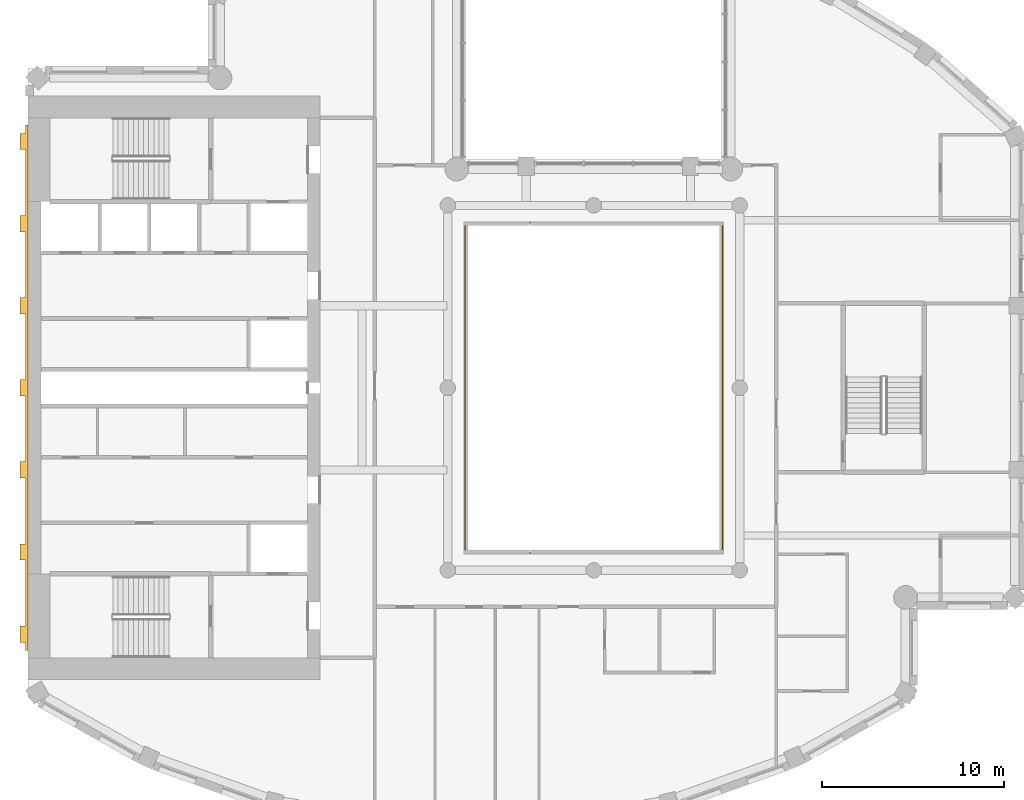
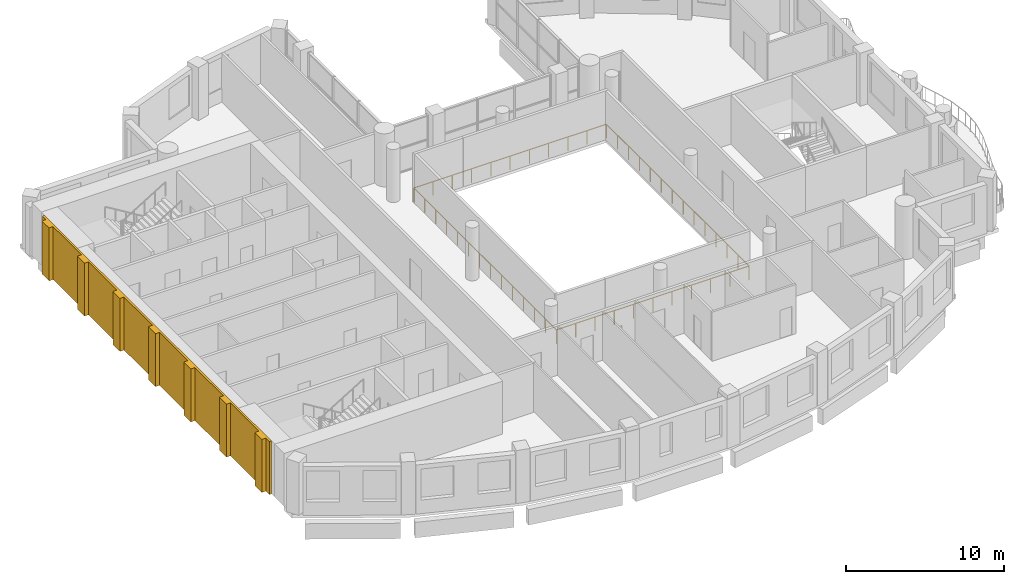
# One storey, part 11 of 14: 1 covering, 1 railing.
"""IFC4 building model written with IfcOpenShell, lengths in metres."""

from ifc_helpers import new_model, si_unit, direction, frame, origin, origin_2d, place, context, subcontext, project, spatial, polyline, rectangle, outline, extrude, material, layer, layer_set, type_object, element, save


model = new_model("IFC4")

# Units and contexts
model_context = context("Model", 3, precision=1e-05, world=origin(), true_north=direction((0.0, 1.0)))
body_context = subcontext(model_context, "Body", "Model", "MODEL_VIEW")
ifc_project = project(units=[si_unit("LENGTHUNIT", "METRE"), si_unit("AREAUNIT", "SQUARE_METRE"), si_unit("VOLUMEUNIT", "CUBIC_METRE"), si_unit("PLANEANGLEUNIT", "RADIAN"), si_unit("MASSUNIT", "GRAM", prefix="KILO")], contexts=[model_context])

# Site, building, storey
site_placement = place(None, origin())
site = spatial("IfcSite", under=ifc_project, at=site_placement, CompositionType="ELEMENT")
building_placement = place(site_placement, origin())
building = spatial("IfcBuilding", under=site, at=building_placement, Name="Cypress Arch Tower", CompositionType="ELEMENT")
storey_placement = place(building_placement, frame((0.0, 0.0, 284.39990234375)))
storey = spatial("IfcBuildingStorey", under=building, at=storey_placement, Name="L64", CompositionType="ELEMENT", Elevation=284.39990234375)

# Railing
ifc_material_1 = material(Name="Stainless steel posts and handrail, laminated glass infill", Category="steel")
railing_type = type_object("IfcRailingType", Name="Atrium guard GR1100A", PredefinedType="GUARDRAIL", material=ifc_material_1)
railing_placement = place(storey_placement, frame((8.050048828125, -9.050048828125, 0.0)))
element("IfcRailing", 1, at=railing_placement, inside=storey, type_object=railing_type, Name="Atrium guard L64", PredefinedType="GUARDRAIL", context=body_context, shape_type="SweptSolid", body=[
    extrude(rectangle(XDim=0.050048828125, YDim=0.050048828125, at=origin_2d()), frame((0.0, 0.0, 1.0751953125), z_axis=(-1.0, 0.0, 0.0), x_axis=(0.0, -1.0, 0.0)), (0.0, 0.0, 1.0), 14.10009765625),
    extrude(rectangle(XDim=0.050048828125, YDim=0.050048828125, at=origin_2d()), frame((-14.10009765625, 0.0, 1.0751953125), z_axis=(0.0, 1.0, 0.0), x_axis=(-1.0, 0.0, 0.0)), (0.0, 0.0, 1.0), 18.10009765625),
    extrude(rectangle(XDim=0.050048828125, YDim=0.050048828125, at=origin_2d()), frame((-14.10009765625, 18.10009765625, 1.0751953125), z_axis=(1.0, 0.0, 0.0), x_axis=(0.0, 1.0, 0.0)), (0.0, 0.0, 1.0), 14.10009765625),
    extrude(rectangle(XDim=0.050048828125, YDim=0.050048828125, at=origin_2d()), frame((0.0, 18.10009765625, 1.0751953125), z_axis=(0.0, -1.0, 0.0), x_axis=(1.0, 0.0, 0.0)), (0.0, 0.0, 1.0), 18.10009765625),
    extrude(rectangle(XDim=0.050048828125, YDim=0.050048828125, at=origin_2d()), origin(), (0.0, 0.0, 1.0), 1.050048828125),
    extrude(rectangle(XDim=0.050048828125, YDim=0.050048828125, at=origin_2d()), frame((-1.409912109375, 0.0, 0.0)), (0.0, 0.0, 1.0), 1.050048828125),
    extrude(rectangle(XDim=0.050048828125, YDim=0.050048828125, at=origin_2d()), frame((-2.820068359375, 0.0, 0.0)), (0.0, 0.0, 1.0), 1.050048828125),
    extrude(rectangle(XDim=0.050048828125, YDim=0.050048828125, at=origin_2d()), frame((-4.22998046875, 0.0, 0.0)), (0.0, 0.0, 1.0), 1.050048828125),
    extrude(rectangle(XDim=0.050048828125, YDim=0.050048828125, at=origin_2d()), frame((-5.64013671875, 0.0, 0.0)), (0.0, 0.0, 1.0), 1.050048828125),
    extrude(rectangle(XDim=0.050048828125, YDim=0.050048828125, at=origin_2d()), frame((-7.050048828125, 0.0, 0.0)), (0.0, 0.0, 1.0), 1.050048828125),
    extrude(rectangle(XDim=0.050048828125, YDim=0.050048828125, at=origin_2d()), frame((-8.4599609375, 0.0, 0.0)), (0.0, 0.0, 1.0), 1.050048828125),
    extrude(rectangle(XDim=0.050048828125, YDim=0.050048828125, at=origin_2d()), frame((-9.8701171875, 0.0, 0.0)), (0.0, 0.0, 1.0), 1.050048828125),
    extrude(rectangle(XDim=0.050048828125, YDim=0.050048828125, at=origin_2d()), frame((-11.280029296875, 0.0, 0.0)), (0.0, 0.0, 1.0), 1.050048828125),
    extrude(rectangle(XDim=0.050048828125, YDim=0.050048828125, at=origin_2d()), frame((-12.690185546875, 0.0, 0.0)), (0.0, 0.0, 1.0), 1.050048828125),
    extrude(rectangle(XDim=0.050048828125, YDim=0.050048828125, at=origin_2d()), frame((-14.10009765625, 0.0, 0.0)), (0.0, 0.0, 1.0), 1.050048828125),
    extrude(rectangle(XDim=0.050048828125, YDim=0.050048828125, at=origin_2d()), frame((-14.10009765625, 1.392333984375, 0.0)), (0.0, 0.0, 1.0), 1.050048828125),
    extrude(rectangle(XDim=0.050048828125, YDim=0.050048828125, at=origin_2d()), frame((-14.10009765625, 2.78466796875, 0.0)), (0.0, 0.0, 1.0), 1.050048828125),
    extrude(rectangle(XDim=0.050048828125, YDim=0.050048828125, at=origin_2d()), frame((-14.10009765625, 4.177001953125, 0.0)), (0.0, 0.0, 1.0), 1.050048828125),
    extrude(rectangle(XDim=0.050048828125, YDim=0.050048828125, at=origin_2d()), frame((-14.10009765625, 5.5693359375, 0.0)), (0.0, 0.0, 1.0), 1.050048828125),
    extrude(rectangle(XDim=0.050048828125, YDim=0.050048828125, at=origin_2d()), frame((-14.10009765625, 6.961669921875, 0.0)), (0.0, 0.0, 1.0), 1.050048828125),
    extrude(rectangle(XDim=0.050048828125, YDim=0.050048828125, at=origin_2d()), frame((-14.10009765625, 8.35400390625, 0.0)), (0.0, 0.0, 1.0), 1.050048828125),
    extrude(rectangle(XDim=0.050048828125, YDim=0.050048828125, at=origin_2d()), frame((-14.10009765625, 9.74609375, 0.0)), (0.0, 0.0, 1.0), 1.050048828125),
    extrude(rectangle(XDim=0.050048828125, YDim=0.050048828125, at=origin_2d()), frame((-14.10009765625, 11.138427734375, 0.0)), (0.0, 0.0, 1.0), 1.050048828125),
    extrude(rectangle(XDim=0.050048828125, YDim=0.050048828125, at=origin_2d()), frame((-14.10009765625, 12.53076171875, 0.0)), (0.0, 0.0, 1.0), 1.050048828125),
    extrude(rectangle(XDim=0.050048828125, YDim=0.050048828125, at=origin_2d()), frame((-14.10009765625, 13.923095703125, 0.0)), (0.0, 0.0, 1.0), 1.050048828125),
    extrude(rectangle(XDim=0.050048828125, YDim=0.050048828125, at=origin_2d()), frame((-14.10009765625, 15.3154296875, 0.0)), (0.0, 0.0, 1.0), 1.050048828125),
    extrude(rectangle(XDim=0.050048828125, YDim=0.050048828125, at=origin_2d()), frame((-14.10009765625, 16.707763671875, 0.0)), (0.0, 0.0, 1.0), 1.050048828125),
    extrude(rectangle(XDim=0.050048828125, YDim=0.050048828125, at=origin_2d()), frame((-14.10009765625, 18.10009765625, 0.0)), (0.0, 0.0, 1.0), 1.050048828125),
    extrude(rectangle(XDim=0.050048828125, YDim=0.050048828125, at=origin_2d()), frame((-12.690185546875, 18.10009765625, 0.0)), (0.0, 0.0, 1.0), 1.050048828125),
    extrude(rectangle(XDim=0.050048828125, YDim=0.050048828125, at=origin_2d()), frame((-11.280029296875, 18.10009765625, 0.0)), (0.0, 0.0, 1.0), 1.050048828125),
    extrude(rectangle(XDim=0.050048828125, YDim=0.050048828125, at=origin_2d()), frame((-9.8701171875, 18.10009765625, 0.0)), (0.0, 0.0, 1.0), 1.050048828125),
    extrude(rectangle(XDim=0.050048828125, YDim=0.050048828125, at=origin_2d()), frame((-8.4599609375, 18.10009765625, 0.0)), (0.0, 0.0, 1.0), 1.050048828125),
    extrude(rectangle(XDim=0.050048828125, YDim=0.050048828125, at=origin_2d()), frame((-7.050048828125, 18.10009765625, 0.0)), (0.0, 0.0, 1.0), 1.050048828125),
    extrude(rectangle(XDim=0.050048828125, YDim=0.050048828125, at=origin_2d()), frame((-5.64013671875, 18.10009765625, 0.0)), (0.0, 0.0, 1.0), 1.050048828125),
    extrude(rectangle(XDim=0.050048828125, YDim=0.050048828125, at=origin_2d()), frame((-4.22998046875, 18.10009765625, 0.0)), (0.0, 0.0, 1.0), 1.050048828125),
    extrude(rectangle(XDim=0.050048828125, YDim=0.050048828125, at=origin_2d()), frame((-2.820068359375, 18.10009765625, 0.0)), (0.0, 0.0, 1.0), 1.050048828125),
    extrude(rectangle(XDim=0.050048828125, YDim=0.050048828125, at=origin_2d()), frame((-1.409912109375, 18.10009765625, 0.0)), (0.0, 0.0, 1.0), 1.050048828125),
    extrude(rectangle(XDim=0.050048828125, YDim=0.050048828125, at=origin_2d()), frame((0.0, 18.10009765625, 0.0)), (0.0, 0.0, 1.0), 1.050048828125),
    extrude(rectangle(XDim=0.050048828125, YDim=0.050048828125, at=origin_2d()), frame((0.0, 16.707763671875, 0.0)), (0.0, 0.0, 1.0), 1.050048828125),
    extrude(rectangle(XDim=0.050048828125, YDim=0.050048828125, at=origin_2d()), frame((0.0, 15.3154296875, 0.0)), (0.0, 0.0, 1.0), 1.050048828125),
    extrude(rectangle(XDim=0.050048828125, YDim=0.050048828125, at=origin_2d()), frame((0.0, 13.923095703125, 0.0)), (0.0, 0.0, 1.0), 1.050048828125),
    extrude(rectangle(XDim=0.050048828125, YDim=0.050048828125, at=origin_2d()), frame((0.0, 12.53076171875, 0.0)), (0.0, 0.0, 1.0), 1.050048828125),
    extrude(rectangle(XDim=0.050048828125, YDim=0.050048828125, at=origin_2d()), frame((0.0, 11.138427734375, 0.0)), (0.0, 0.0, 1.0), 1.050048828125),
    extrude(rectangle(XDim=0.050048828125, YDim=0.050048828125, at=origin_2d()), frame((0.0, 9.74609375, 0.0)), (0.0, 0.0, 1.0), 1.050048828125),
    extrude(rectangle(XDim=0.050048828125, YDim=0.050048828125, at=origin_2d()), frame((0.0, 8.35400390625, 0.0)), (0.0, 0.0, 1.0), 1.050048828125),
    extrude(rectangle(XDim=0.050048828125, YDim=0.050048828125, at=origin_2d()), frame((0.0, 6.961669921875, 0.0)), (0.0, 0.0, 1.0), 1.050048828125),
    extrude(rectangle(XDim=0.050048828125, YDim=0.050048828125, at=origin_2d()), frame((0.0, 5.5693359375, 0.0)), (0.0, 0.0, 1.0), 1.050048828125),
    extrude(rectangle(XDim=0.050048828125, YDim=0.050048828125, at=origin_2d()), frame((0.0, 4.177001953125, 0.0)), (0.0, 0.0, 1.0), 1.050048828125),
    extrude(rectangle(XDim=0.050048828125, YDim=0.050048828125, at=origin_2d()), frame((0.0, 2.78466796875, 0.0)), (0.0, 0.0, 1.0), 1.050048828125),
    extrude(rectangle(XDim=0.050048828125, YDim=0.050048828125, at=origin_2d()), frame((0.0, 1.392333984375, 0.0)), (0.0, 0.0, 1.0), 1.050048828125),
])

# Covering
ifc_material_2 = material(Name="Brick (red buff blend)", Category="masonry")
ifc_layer = layer(ifc_material_2, 0.449951171875)
ifc_layer_set = layer_set([ifc_layer], Name="West face brick piers WP450")
covering_type = type_object("IfcCoveringType", Name="West face brick piers WP450", PredefinedType="CLADDING", material=ifc_layer_set)
covering_placement = place(storey_placement, origin())
element("IfcCovering", 2, at=covering_placement, inside=storey, type_object=covering_type, Name="West face brick piers L64", PredefinedType="CLADDING", context=body_context, shape_type="SweptSolid", body=[
    extrude(outline(polyline([(-30.14990234375, -13.050048828125), (-30.14990234375, -9.449951171875), (-30.449951171875, -9.449951171875), (-30.449951171875, -8.550048828125), (-30.14990234375, -8.550048828125), (-30.14990234375, -4.949951171875), (-30.449951171875, -4.949951171875), (-30.449951171875, -4.050048828125), (-30.14990234375, -4.050048828125), (-30.14990234375, -0.449951171875), (-30.449951171875, -0.449951171875), (-30.449951171875, 0.449951171875), (-30.14990234375, 0.449951171875), (-30.14990234375, 4.050048828125), (-30.449951171875, 4.050048828125), (-30.449951171875, 4.949951171875), (-30.14990234375, 4.949951171875), (-30.14990234375, 8.550048828125), (-30.449951171875, 8.550048828125), (-30.449951171875, 9.449951171875), (-30.14990234375, 9.449951171875), (-30.14990234375, 13.050048828125), (-30.449951171875, 13.050048828125), (-30.449951171875, 13.949951171875), (-30.14990234375, 13.949951171875), (-30.14990234375, 14.39990234375), (-30.0, 14.39990234375), (-30.0, -14.39990234375), (-30.14990234375, -14.39990234375), (-30.14990234375, -13.949951171875), (-30.449951171875, -13.949951171875), (-30.449951171875, -13.050048828125), (-30.14990234375, -13.050048828125)])), origin(), (0.0, 0.0, 1.0), 4.10009765625),
])

save(model, "model.ifc")
